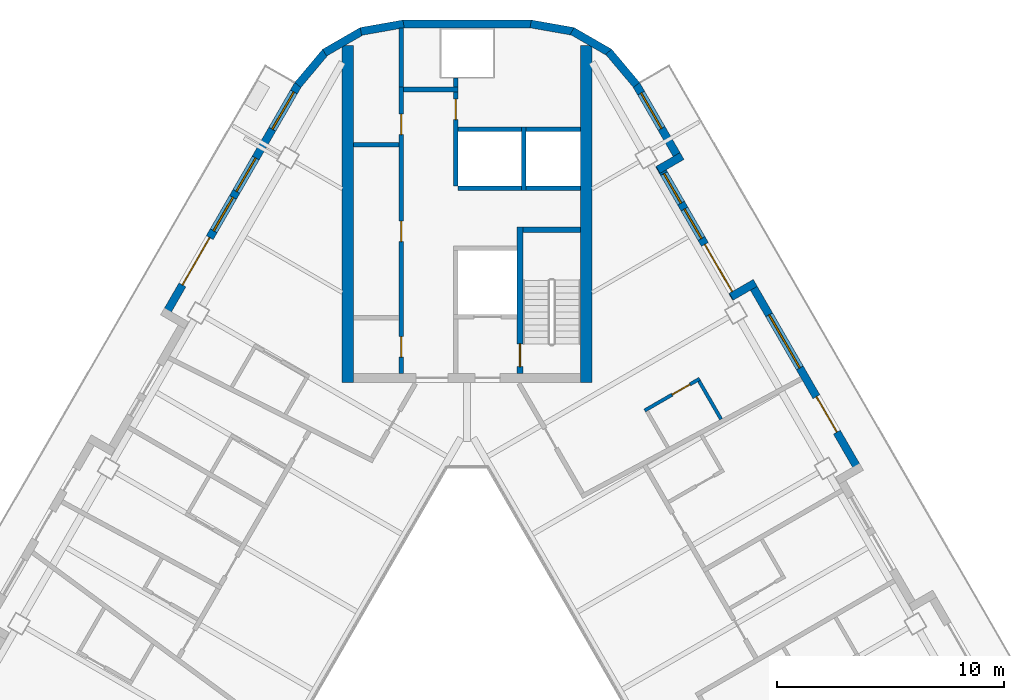
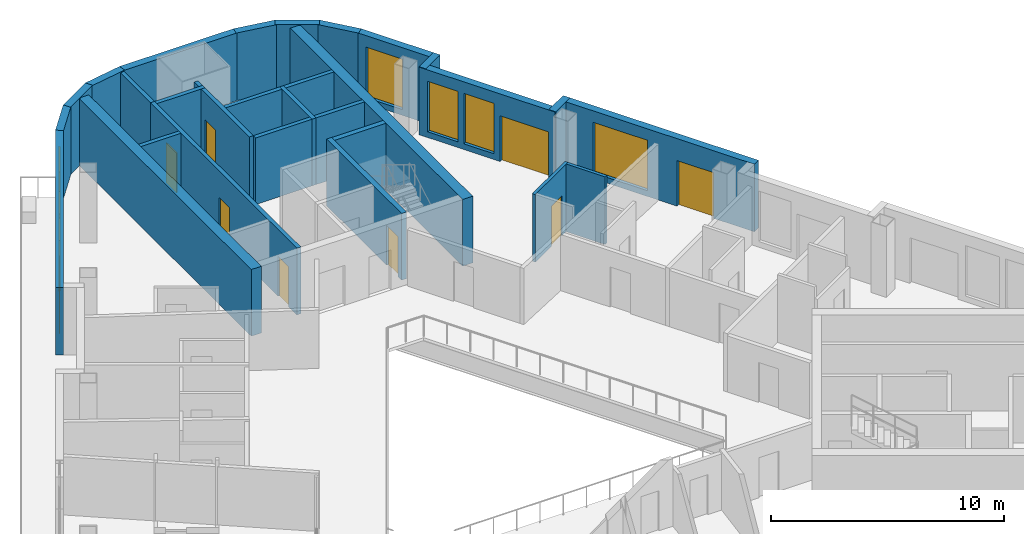
# One storey, part 7 of 14: 30 walls, 9 doors, 7 windows, 16 openings.
"""IFC4 building model written with IfcOpenShell, lengths in metres."""

from ifc_helpers import new_model, si_unit, direction, frame, frame_2d, origin, place, context, subcontext, project, spatial, rectangle, extrude, material, layer, layer_set, type_object, element, fill, save


model = new_model("IFC4")

# Units and contexts
model_context = context("Model", 3, precision=1e-05, world=origin(), true_north=direction((0.0, 1.0)))
body_context = subcontext(model_context, "Body", "Model", "MODEL_VIEW")
ifc_project = project(units=[si_unit("LENGTHUNIT", "METRE"), si_unit("AREAUNIT", "SQUARE_METRE"), si_unit("VOLUMEUNIT", "CUBIC_METRE"), si_unit("PLANEANGLEUNIT", "RADIAN"), si_unit("MASSUNIT", "GRAM", prefix="KILO")], contexts=[model_context])

# Site, building, storey
site_placement = place(None, origin())
site = spatial("IfcSite", under=ifc_project, at=site_placement, CompositionType="ELEMENT")
building_placement = place(site_placement, origin())
building = spatial("IfcBuilding", under=site, at=building_placement, Name="Apuvela Tower Hotel", CompositionType="ELEMENT")
storey_placement = place(building_placement, frame((0.0, 0.0, 205.800048828125)))
storey = spatial("IfcBuildingStorey", under=building, at=storey_placement, Name="L50", CompositionType="ELEMENT", Elevation=205.800048828125)

# Walls
ifc_material_1 = material(Name="Concrete C50/60", Category="concrete")
ifc_layer_1 = layer(ifc_material_1, 0.5)
ifc_layer_set_1 = layer_set([ifc_layer_1], Name="COR-WALL-CORE-500")
wall_type_1 = type_object("IfcWallType", Name="COR-WALL-CORE-500", PredefinedType="SHEAR", material=ifc_layer_set_1)
for number, where, z_axis, x_axis, name in (
    (1, (5.25, 12.89990234375, 0.0), (0.0, 0.0, 1.0), (0.0, 1.0, 0.0), "Core wall N"),
    (2, (-5.25, 12.89990234375, 0.0), (0.0, 0.0, 1.0), (0.0, 1.0, 0.0), "Core wall N"),
):
    element("IfcWall", number, at=place(storey_placement, frame(where, z_axis=z_axis, x_axis=x_axis)), inside=storey, type_object=wall_type_1, Name=name, PredefinedType="SHEAR", context=body_context, shape_type="SweptSolid", body=[
        extrude(rectangle(XDim=14.8369140625, YDim=0.5, at=frame_2d((7.41845703125, 0.0))), origin(), (0.0, 0.0, 1.0), 3.5),
    ])
ifc_material_2 = material(Name="Blockwork 200 mm plastered", Category="masonry")
ifc_layer_2 = layer(ifc_material_2, 0.199951171875)
ifc_layer_set_2 = layer_set([ifc_layer_2], Name="COR-WALL-PART-200")
wall_type_2 = type_object("IfcWallType", Name="COR-WALL-PART-200", PredefinedType="PARTITIONING", material=ifc_layer_set_2)
wall_1_placement = place(storey_placement, frame((5.0, 21.449951171875, 0.0), z_axis=(0.0, 0.0, 1.0), x_axis=(-1.0, 0.0, 0.0)))
element("IfcWall", 3, at=wall_1_placement, inside=storey, type_object=wall_type_2, Name="Partition N", PredefinedType="PARTITIONING", context=body_context, shape_type="SweptSolid", body=[
    extrude(rectangle(XDim=2.39990234375, YDim=0.199951171875, at=frame_2d((1.199951171875, 0.0))), origin(), (0.0, 0.0, 1.0), 3.5),
])
wall_2_placement = place(storey_placement, frame((2.39990234375, 21.449951171875, 0.0), z_axis=(0.0, 0.0, 1.0), x_axis=(-1.0, 0.0, 0.0)))
element("IfcWall", 4, at=wall_2_placement, inside=storey, type_object=wall_type_2, Name="Partition N", PredefinedType="PARTITIONING", context=body_context, shape_type="SweptSolid", body=[
    extrude(rectangle(XDim=2.7998046875, YDim=0.199951171875, at=frame_2d((1.39990234375, 0.0))), origin(), (0.0, 0.0, 1.0), 3.5),
])

# Wall, openings, doors
ifc_layer_3 = layer(ifc_material_1, 0.199951171875)
ifc_layer_set_3 = layer_set([ifc_layer_3], Name="COR-WALL-SHAFT-200")
wall_type_3 = type_object("IfcWallType", Name="COR-WALL-SHAFT-200", PredefinedType="SHEAR", material=ifc_layer_set_3)
wall_3_placement = place(storey_placement, frame((-2.89990234375, 13.300048828125, 0.0), z_axis=(0.0, 0.0, 1.0), x_axis=(0.0, 1.0, 0.0)))
wall_3 = element("IfcWall", 5, at=wall_3_placement, inside=storey, type_object=wall_type_3, Name="Shaft wall N", PredefinedType="SHEAR", context=body_context, shape_type="SweptSolid", body=[
    extrude(rectangle(XDim=12.599853515625, YDim=0.199951171875, at=frame_2d((6.2998046875, 0.0))), origin(), (0.0, 0.0, 1.0), 3.5),
])
opening_1_placement = place(wall_3_placement, frame((0.719970703125, 0.0, 0.0)))
opening_1 = element("IfcOpeningElement", 6, at=opening_1_placement, cuts=wall_3, Name="Opening N-RE1", PredefinedType="OPENING", context=body_context, shape_type="SweptSolid", body=[
    extrude(rectangle(XDim=0.89990234375, YDim=2.10009765625, at=frame_2d((0.449951171875, 1.050048828125))), frame((0.0, 0.10986328125, 0.0), z_axis=(0.0, -1.0, 0.0), x_axis=(1.0, 0.0, 0.0)), (0.0, 0.0, 1.0), 0.219970703125),
])
opening_2_placement = place(wall_3_placement, frame((5.800048828125, 0.0, 0.0)))
opening_2 = element("IfcOpeningElement", 7, at=opening_2_placement, cuts=wall_3, Name="Opening N-RE2", PredefinedType="OPENING", context=body_context, shape_type="SweptSolid", body=[
    extrude(rectangle(XDim=0.89990234375, YDim=2.10009765625, at=frame_2d((0.449951171875, 1.050048828125))), frame((0.0, 0.10986328125, 0.0), z_axis=(0.0, -1.0, 0.0), x_axis=(1.0, 0.0, 0.0)), (0.0, 0.0, 1.0), 0.219970703125),
])
opening_3_placement = place(wall_3_placement, frame((10.510009765625, 0.0, 0.0)))
opening_3 = element("IfcOpeningElement", 8, at=opening_3_placement, cuts=wall_3, Name="Opening N-REP", PredefinedType="OPENING", context=body_context, shape_type="SweptSolid", body=[
    extrude(rectangle(XDim=0.89990234375, YDim=2.10009765625, at=frame_2d((0.449951171875, 1.050048828125))), frame((0.0, 0.10986328125, 0.0), z_axis=(0.0, -1.0, 0.0), x_axis=(1.0, 0.0, 0.0)), (0.0, 0.0, 1.0), 0.219970703125),
])
ifc_material_3 = material(Name="Steel fire door, powder coated", Category="steel")
door_type_1 = type_object("IfcDoorType", Name="COR-DR-900", OperationType="NOTDEFINED", PredefinedType="DOOR", material=ifc_material_3)
door_1_placement = place(opening_1_placement, origin())
door_1 = element("IfcDoor", 9, at=door_1_placement, inside=storey, type_object=door_type_1, Name="Store door N-RE1", OperationType="SINGLE_SWING_LEFT", OverallHeight=2.10009765625, OverallWidth=0.89990234375, PredefinedType="DOOR", context=body_context, shape_type="SweptSolid", body=[
    extrude(rectangle(XDim=0.89990234375, YDim=2.10009765625, at=frame_2d((0.449951171875, 1.050048828125))), frame((0.0, 0.02490234375, 0.0), z_axis=(0.0, -1.0, 0.0), x_axis=(1.0, 0.0, 0.0)), (0.0, 0.0, 1.0), 0.050048828125),
])
fill(opening_1, door_1)
door_2_placement = place(opening_2_placement, origin())
door_2 = element("IfcDoor", 10, at=door_2_placement, inside=storey, type_object=door_type_1, Name="Store door N-RE2", OperationType="SINGLE_SWING_RIGHT", OverallHeight=2.10009765625, OverallWidth=0.89990234375, PredefinedType="DOOR", context=body_context, shape_type="SweptSolid", body=[
    extrude(rectangle(XDim=0.89990234375, YDim=2.10009765625, at=frame_2d((0.449951171875, 1.050048828125))), frame((0.0, 0.02490234375, 0.0), z_axis=(0.0, -1.0, 0.0), x_axis=(1.0, 0.0, 0.0)), (0.0, 0.0, 1.0), 0.050048828125),
])
fill(opening_2, door_2)
door_3_placement = place(opening_3_placement, origin())
door_3 = element("IfcDoor", 11, at=door_3_placement, inside=storey, type_object=door_type_1, Name="Store door N-REP", OperationType="SINGLE_SWING_RIGHT", OverallHeight=2.10009765625, OverallWidth=0.89990234375, PredefinedType="DOOR", context=body_context, shape_type="SweptSolid", body=[
    extrude(rectangle(XDim=0.89990234375, YDim=2.10009765625, at=frame_2d((0.449951171875, 1.050048828125))), frame((0.0, 0.02490234375, 0.0), z_axis=(0.0, -1.0, 0.0), x_axis=(1.0, 0.0, 0.0)), (0.0, 0.0, 1.0), 0.050048828125),
])
fill(opening_3, door_3)

# Wall
wall_4_placement = place(storey_placement, frame((-0.39990234375, 25.800048828125, 0.0), z_axis=(0.0, 0.0, 1.0), x_axis=(-1.0, 0.0, 0.0)))
element("IfcWall", 12, at=wall_4_placement, inside=storey, type_object=wall_type_3, Name="Shaft wall N", PredefinedType="SHEAR", context=body_context, shape_type="SweptSolid", body=[
    extrude(rectangle(XDim=2.400146484375, YDim=0.199951171875, at=frame_2d((1.2001953125, 0.0))), origin(), (0.0, 0.0, 1.0), 3.5),
])

# Wall, opening, door
wall_5_placement = place(storey_placement, frame((-0.5, 21.550048828125, 0.0), z_axis=(0.0, 0.0, 1.0), x_axis=(0.0, 1.0, 0.0)))
wall_5 = element("IfcWall", 13, at=wall_5_placement, inside=storey, type_object=wall_type_3, Name="Shaft wall N", PredefinedType="SHEAR", context=body_context, shape_type="SweptSolid", body=[
    extrude(rectangle(XDim=4.14990234375, YDim=0.199951171875, at=frame_2d((2.074951171875, 0.0))), origin(), (0.0, 0.0, 1.0), 3.5),
])
opening_4_placement = place(wall_5_placement, frame((2.925048828125, 0.0, 0.0)))
opening_4 = element("IfcOpeningElement", 14, at=opening_4_placement, cuts=wall_5, Name="Opening N-RSP", PredefinedType="OPENING", context=body_context, shape_type="SweptSolid", body=[
    extrude(rectangle(XDim=0.89990234375, YDim=2.10009765625, at=frame_2d((0.449951171875, 1.050048828125))), frame((0.0, 0.10986328125, 0.0), z_axis=(0.0, -1.0, 0.0), x_axis=(1.0, 0.0, 0.0)), (0.0, 0.0, 1.0), 0.219970703125),
])
door_4_placement = place(opening_4_placement, frame((0.89990234375, 0.0, 0.0), z_axis=(0.0, 0.0, 1.0), x_axis=(-1.0, 0.0, 0.0)))
door_4 = element("IfcDoor", 15, at=door_4_placement, inside=storey, type_object=door_type_1, Name="Store door N-RSP", OperationType="SINGLE_SWING_LEFT", OverallHeight=2.10009765625, OverallWidth=0.89990234375, PredefinedType="DOOR", context=body_context, shape_type="SweptSolid", body=[
    extrude(rectangle(XDim=0.89990234375, YDim=2.10009765625, at=frame_2d((0.449951171875, 1.050048828125))), frame((0.0, 0.02490234375, 0.0), z_axis=(0.0, -1.0, 0.0), x_axis=(1.0, 0.0, 0.0)), (0.0, 0.0, 1.0), 0.050048828125),
])
fill(opening_4, door_4)

# Walls
wall_6_placement = place(storey_placement, frame((-3.0, 23.360107421875, 0.0), z_axis=(0.0, 0.0, 1.0), x_axis=(-1.0, 0.0, 0.0)))
element("IfcWall", 16, at=wall_6_placement, inside=storey, type_object=wall_type_3, Name="Shaft wall N", PredefinedType="SHEAR", context=body_context, shape_type="SweptSolid", body=[
    extrude(rectangle(XDim=2.0, YDim=0.199951171875, at=frame_2d((1.0, 0.0))), origin(), (0.0, 0.0, 1.0), 3.5),
])
wall_7_placement = place(storey_placement, frame((-0.5, 25.89990234375, 0.0), z_axis=(0.0, 0.0, 1.0), x_axis=(0.0, 1.0, 0.0)))
element("IfcWall", 17, at=wall_7_placement, inside=storey, type_object=wall_type_3, Name="Shaft wall N", PredefinedType="SHEAR", context=body_context, shape_type="SweptSolid", body=[
    extrude(rectangle(XDim=0.400146484375, YDim=0.199951171875, at=frame_2d((0.2001953125, 0.0))), origin(), (0.0, 0.0, 1.0), 3.5),
])
wall_8_placement = place(storey_placement, frame((-2.89990234375, 25.89990234375, 0.0), z_axis=(0.0, 0.0, 1.0), x_axis=(0.0, 1.0, 0.0)))
element("IfcWall", 18, at=wall_8_placement, inside=storey, type_object=wall_type_3, Name="Shaft wall N", PredefinedType="SHEAR", context=body_context, shape_type="SweptSolid", body=[
    extrude(rectangle(XDim=2.60009765625, YDim=0.199951171875, at=frame_2d((1.300048828125, 0.0))), origin(), (0.0, 0.0, 1.0), 3.5),
])
wall_9_placement = place(storey_placement, frame((2.5, 21.35009765625, 0.0), z_axis=(0.0, 0.0, 1.0), x_axis=(0.0, 1.0, 0.0)))
element("IfcWall", 19, at=wall_9_placement, inside=storey, type_object=wall_type_3, Name="Shaft wall N", PredefinedType="SHEAR", context=body_context, shape_type="SweptSolid", body=[
    extrude(rectangle(XDim=2.7998046875, YDim=0.199951171875, at=frame_2d((1.39990234375, 0.0))), origin(), (0.0, 0.0, 1.0), 3.5),
])
wall_10_placement = place(storey_placement, frame((5.0, 24.050048828125, 0.0), z_axis=(0.0, 0.0, 1.0), x_axis=(-1.0, 0.0, 0.0)))
element("IfcWall", 20, at=wall_10_placement, inside=storey, type_object=wall_type_3, Name="Shaft wall N", PredefinedType="SHEAR", context=body_context, shape_type="SweptSolid", body=[
    extrude(rectangle(XDim=2.39990234375, YDim=0.199951171875, at=frame_2d((1.199951171875, 0.0))), origin(), (0.0, 0.0, 1.0), 3.5),
])
wall_11_placement = place(storey_placement, frame((2.39990234375, 24.050048828125, 0.0), z_axis=(0.0, 0.0, 1.0), x_axis=(-1.0, 0.0, 0.0)))
element("IfcWall", 21, at=wall_11_placement, inside=storey, type_object=wall_type_3, Name="Shaft wall N", PredefinedType="SHEAR", context=body_context, shape_type="SweptSolid", body=[
    extrude(rectangle(XDim=2.7998046875, YDim=0.199951171875, at=frame_2d((1.39990234375, 0.0))), origin(), (0.0, 0.0, 1.0), 3.5),
])

# Wall, opening, door
ifc_layer_4 = layer(ifc_material_1, 0.25)
ifc_layer_set_4 = layer_set([ifc_layer_4], Name="COR-WALL-STAIR-250")
wall_type_4 = type_object("IfcWallType", Name="COR-WALL-STAIR-250", PredefinedType="SHEAR", material=ifc_layer_set_4)
wall_12_placement = place(storey_placement, frame((2.324951171875, 13.300048828125, 0.0), z_axis=(0.0, 0.0, 1.0), x_axis=(0.0, 1.0, 0.0)))
wall_12 = element("IfcWall", 22, at=wall_12_placement, inside=storey, type_object=wall_type_4, Name="Stair wall N", PredefinedType="SHEAR", context=body_context, shape_type="SweptSolid", body=[
    extrude(rectangle(XDim=6.449951171875, YDim=0.25, at=frame_2d((3.22509765625, 0.0))), origin(), (0.0, 0.0, 1.0), 3.5),
])
opening_5_placement = place(wall_12_placement, frame((0.300048828125, 0.0, 0.0)))
opening_5 = element("IfcOpeningElement", 23, at=opening_5_placement, cuts=wall_12, Name="Opening N-SD", PredefinedType="OPENING", context=body_context, shape_type="SweptSolid", body=[
    extrude(rectangle(XDim=1.0, YDim=2.10009765625, at=frame_2d((0.5, 1.050048828125))), frame((0.0, 0.135009765625, 0.0), z_axis=(0.0, -1.0, 0.0), x_axis=(1.0, 0.0, 0.0)), (0.0, 0.0, 1.0), 0.27001953125),
])
door_type_2 = type_object("IfcDoorType", Name="COR-SD-1000", OperationType="NOTDEFINED", PredefinedType="DOOR", material=ifc_material_3)
door_5_placement = place(opening_5_placement, frame((1.0, 0.0, 0.0), z_axis=(0.0, 0.0, 1.0), x_axis=(-1.0, 0.0, 0.0)))
door_5 = element("IfcDoor", 24, at=door_5_placement, inside=storey, type_object=door_type_2, Name="Stair door N-SD", OperationType="SINGLE_SWING_LEFT", OverallHeight=2.10009765625, OverallWidth=1.0, PredefinedType="DOOR", context=body_context, shape_type="SweptSolid", body=[
    extrude(rectangle(XDim=1.0, YDim=2.10009765625, at=frame_2d((0.5, 1.050048828125))), frame((0.0, 0.02490234375, 0.0), z_axis=(0.0, -1.0, 0.0), x_axis=(1.0, 0.0, 0.0)), (0.0, 0.0, 1.0), 0.050048828125),
])
fill(opening_5, door_5)

# Wall
wall_13_placement = place(storey_placement, frame((5.0, 19.625, 0.0), z_axis=(0.0, 0.0, 1.0), x_axis=(-1.0, 0.0, 0.0)))
element("IfcWall", 25, at=wall_13_placement, inside=storey, type_object=wall_type_4, Name="Stair wall N", PredefinedType="SHEAR", context=body_context, shape_type="SweptSolid", body=[
    extrude(rectangle(XDim=2.550048828125, YDim=0.25, at=frame_2d((1.27490234375, 0.0))), origin(), (0.0, 0.0, 1.0), 3.5),
])

# Wall, openings, door, windows
ifc_material_4 = material(Name="Concrete C40/50, dark pigmented precast panel", Category="concrete")
ifc_layer_5 = layer(ifc_material_4, 0.35009765625)
ifc_layer_set_5 = layer_set([ifc_layer_5], Name="ENV-WALL-350")
wall_type_5 = type_object("IfcWallType", Name="ENV-WALL-350", PredefinedType="SOLIDWALL", material=ifc_layer_set_5)
wall_14_placement = place(storey_placement, frame((-7.440673828125, 26.0224609375, 0.0), z_axis=(0.0, 0.0, 1.0), x_axis=(-0.499992533062, -0.86602971478, 0.0)))
wall_14 = element("IfcWall", 26, at=wall_14_placement, inside=storey, type_object=wall_type_5, Name="External wall L50-01", PredefinedType="SOLIDWALL", context=body_context, shape_type="SweptSolid", body=[
    extrude(rectangle(XDim=11.815673828125, YDim=0.35009765625, at=frame_2d((5.90771484375, 0.0))), origin(), (0.0, 0.0, 1.0), 3.550048828125),
])
opening_6_placement = place(wall_14_placement, frame((0.381103515625, 0.0, 0.300048828125)))
opening_6 = element("IfcOpeningElement", 27, at=opening_6_placement, cuts=wall_14, Name="Opening WN19", PredefinedType="OPENING", context=body_context, shape_type="SweptSolid", body=[
    extrude(rectangle(XDim=1.89990234375, YDim=2.64990234375, at=frame_2d((0.949951171875, 1.324951171875))), frame((0.0, 0.18505859375, 0.0), z_axis=(0.0, -1.0, 0.0), x_axis=(1.0, 0.0, 0.0)), (0.0, 0.0, 1.0), 0.3701171875),
])
opening_7_placement = place(wall_14_placement, frame((7.79052734375, 0.0, 0.0)))
opening_7 = element("IfcOpeningElement", 28, at=opening_7_placement, cuts=wall_14, Name="Opening BD24", PredefinedType="OPENING", context=body_context, shape_type="SweptSolid", body=[
    extrude(rectangle(XDim=2.39990234375, YDim=2.39990234375, at=frame_2d((1.199951171875, 1.199951171875))), frame((0.0, 0.18505859375, 0.0), z_axis=(0.0, -1.0, 0.0), x_axis=(1.0, 0.0, 0.0)), (0.0, 0.0, 1.0), 0.3701171875),
])
opening_8_placement = place(wall_14_placement, frame((3.7412109375, 0.0, 0.300048828125)))
opening_8 = element("IfcOpeningElement", 29, at=opening_8_placement, cuts=wall_14, Name="Opening WN17", PredefinedType="OPENING", context=body_context, shape_type="SweptSolid", body=[
    extrude(rectangle(XDim=1.699951171875, YDim=2.64990234375, at=frame_2d((0.85009765625, 1.324951171875))), frame((0.0, 0.18505859375, 0.0), z_axis=(0.0, -1.0, 0.0), x_axis=(1.0, 0.0, 0.0)), (0.0, 0.0, 1.0), 0.3701171875),
])
opening_9_placement = place(wall_14_placement, frame((5.7412109375, 0.0, 0.300048828125)))
opening_9 = element("IfcOpeningElement", 30, at=opening_9_placement, cuts=wall_14, Name="Opening WN17", PredefinedType="OPENING", context=body_context, shape_type="SweptSolid", body=[
    extrude(rectangle(XDim=1.699951171875, YDim=2.64990234375, at=frame_2d((0.85009765625, 1.324951171875))), frame((0.0, 0.18505859375, 0.0), z_axis=(0.0, -1.0, 0.0), x_axis=(1.0, 0.0, 0.0)), (0.0, 0.0, 1.0), 0.3701171875),
])
ifc_material_5 = material(Name="Aluminium 6063-T6, dark bronze anodised frame with dark tinted laminated glass", Category="aluminium")
door_type_3 = type_object("IfcDoorType", Name="ENV-DOOR-BALCONY-2400x2400", OperationType="SLIDING_TO_LEFT", PredefinedType="DOOR", material=ifc_material_5)
door_6_placement = place(opening_7_placement, frame((2.39990234375, 0.0, 0.0), z_axis=(0.0, 0.0, 1.0), x_axis=(-1.0, 0.0, 0.0)))
door_6 = element("IfcDoor", 31, at=door_6_placement, inside=storey, type_object=door_type_3, Name="Balcony door BD24", OperationType="SLIDING_TO_LEFT", OverallHeight=2.39990234375, OverallWidth=2.39990234375, PredefinedType="DOOR", context=body_context, shape_type="SweptSolid", body=[
    extrude(rectangle(XDim=2.39990234375, YDim=2.39990234375, at=frame_2d((1.199951171875, 1.199951171875))), frame((0.0, 0.02490234375, 0.0), z_axis=(0.0, -1.0, 0.0), x_axis=(1.0, 0.0, 0.0)), (0.0, 0.0, 1.0), 0.050048828125),
])
fill(opening_7, door_6)
ifc_material_6 = material(Name="Glass, dark tinted laminated insulated glazing unit", Category="glass")
window_type_1 = type_object("IfcWindowType", Name="ENV-WIN-1700x2650", PartitioningType="SINGLE_PANEL", PredefinedType="WINDOW", material=ifc_material_6)
window_1_placement = place(opening_8_placement, origin())
window_1 = element("IfcWindow", 32, at=window_1_placement, inside=storey, type_object=window_type_1, Name="Window WN17", OverallHeight=2.64990234375, OverallWidth=1.699951171875, PartitioningType="SINGLE_PANEL", PredefinedType="WINDOW", context=body_context, shape_type="SweptSolid", body=[
    extrude(rectangle(XDim=1.699951171875, YDim=2.64990234375, at=frame_2d((0.85009765625, 1.324951171875))), frame((0.0, 0.030029296875, 0.0), z_axis=(0.0, -1.0, 0.0), x_axis=(1.0, 0.0, 0.0)), (0.0, 0.0, 1.0), 0.06005859375),
])
fill(opening_8, window_1)
window_2_placement = place(opening_9_placement, origin())
window_2 = element("IfcWindow", 33, at=window_2_placement, inside=storey, type_object=window_type_1, Name="Window WN17", OverallHeight=2.64990234375, OverallWidth=1.699951171875, PartitioningType="SINGLE_PANEL", PredefinedType="WINDOW", context=body_context, shape_type="SweptSolid", body=[
    extrude(rectangle(XDim=1.699951171875, YDim=2.64990234375, at=frame_2d((0.85009765625, 1.324951171875))), frame((0.0, 0.030029296875, 0.0), z_axis=(0.0, -1.0, 0.0), x_axis=(1.0, 0.0, 0.0)), (0.0, 0.0, 1.0), 0.06005859375),
])
fill(opening_9, window_2)
window_type_2 = type_object("IfcWindowType", Name="ENV-WIN-1900x2650", PartitioningType="SINGLE_PANEL", PredefinedType="WINDOW", material=ifc_material_6)
window_3_placement = place(opening_6_placement, origin())
window_3 = element("IfcWindow", 34, at=window_3_placement, inside=storey, type_object=window_type_2, Name="Window WN19", OverallHeight=2.64990234375, OverallWidth=1.89990234375, PartitioningType="SINGLE_PANEL", PredefinedType="WINDOW", context=body_context, shape_type="SweptSolid", body=[
    extrude(rectangle(XDim=1.89990234375, YDim=2.64990234375, at=frame_2d((0.949951171875, 1.324951171875))), frame((0.0, 0.030029296875, 0.0), z_axis=(0.0, -1.0, 0.0), x_axis=(1.0, 0.0, 0.0)), (0.0, 0.0, 1.0), 0.06005859375),
])
fill(opening_6, window_3)

# Wall, openings, door, window
wall_15_placement = place(storey_placement, frame((17.298583984375, 8.947998046875, 0.0), z_axis=(0.0, 0.0, 1.0), x_axis=(-0.500010041276, 0.866019606374, 0.0)))
wall_15 = element("IfcWall", 35, at=wall_15_placement, inside=storey, type_object=wall_type_5, Name="External wall L50-37", PredefinedType="SOLIDWALL", context=body_context, shape_type="SweptSolid", body=[
    extrude(rectangle(XDim=9.699951171875, YDim=0.35009765625, at=frame_2d((4.85009765625, 0.0))), origin(), (0.0, 0.0, 1.0), 3.550048828125),
])
opening_10_placement = place(wall_15_placement, frame((2.037109375, 0.0, 0.0)))
opening_10 = element("IfcOpeningElement", 36, at=opening_10_placement, cuts=wall_15, Name="Opening BD18", PredefinedType="OPENING", context=body_context, shape_type="SweptSolid", body=[
    extrude(rectangle(XDim=1.800048828125, YDim=2.39990234375, at=frame_2d((0.89990234375, 1.199951171875))), frame((0.0, 0.18505859375, 0.0), z_axis=(0.0, -1.0, 0.0), x_axis=(1.0, 0.0, 0.0)), (0.0, 0.0, 1.0), 0.3701171875),
])
opening_11_placement = place(wall_15_placement, frame((5.300048828125, 0.0, 0.300048828125)))
opening_11 = element("IfcOpeningElement", 37, at=opening_11_placement, cuts=wall_15, Name="Opening WN27", PredefinedType="OPENING", context=body_context, shape_type="SweptSolid", body=[
    extrude(rectangle(XDim=2.699951171875, YDim=2.64990234375, at=frame_2d((1.35009765625, 1.324951171875))), frame((0.0, 0.18505859375, 0.0), z_axis=(0.0, -1.0, 0.0), x_axis=(1.0, 0.0, 0.0)), (0.0, 0.0, 1.0), 0.3701171875),
])
door_type_4 = type_object("IfcDoorType", Name="ENV-DOOR-BALCONY-1800x2400", OperationType="SLIDING_TO_LEFT", PredefinedType="DOOR", material=ifc_material_5)
door_7_placement = place(opening_10_placement, frame((1.800048828125, 0.0, 0.0), z_axis=(0.0, 0.0, 1.0), x_axis=(-1.0, 0.0, 0.0)))
door_7 = element("IfcDoor", 38, at=door_7_placement, inside=storey, type_object=door_type_4, Name="Balcony door BD18", OperationType="SLIDING_TO_LEFT", OverallHeight=2.39990234375, OverallWidth=1.800048828125, PredefinedType="DOOR", context=body_context, shape_type="SweptSolid", body=[
    extrude(rectangle(XDim=1.800048828125, YDim=2.39990234375, at=frame_2d((0.89990234375, 1.199951171875))), frame((0.0, 0.02490234375, 0.0), z_axis=(0.0, -1.0, 0.0), x_axis=(1.0, 0.0, 0.0)), (0.0, 0.0, 1.0), 0.050048828125),
])
fill(opening_10, door_7)
window_type_3 = type_object("IfcWindowType", Name="ENV-WIN-2700x2650", PartitioningType="SINGLE_PANEL", PredefinedType="WINDOW", material=ifc_material_6)
window_4_placement = place(opening_11_placement, origin())
window_4 = element("IfcWindow", 39, at=window_4_placement, inside=storey, type_object=window_type_3, Name="Window WN27", OverallHeight=2.64990234375, OverallWidth=2.699951171875, PartitioningType="SINGLE_PANEL", PredefinedType="WINDOW", context=body_context, shape_type="SweptSolid", body=[
    extrude(rectangle(XDim=2.699951171875, YDim=2.64990234375, at=frame_2d((1.35009765625, 1.324951171875))), frame((0.0, 0.030029296875, 0.0), z_axis=(0.0, -1.0, 0.0), x_axis=(1.0, 0.0, 0.0)), (0.0, 0.0, 1.0), 0.06005859375),
])
fill(opening_11, window_4)

# Wall
wall_16_placement = place(storey_placement, frame((12.6875, 17.284423828125, 0.0), z_axis=(0.0, 0.0, 1.0), x_axis=(-0.865955602162, -0.500120880472, 0.0)))
element("IfcWall", 40, at=wall_16_placement, inside=storey, type_object=wall_type_5, Name="External wall L50-38", PredefinedType="SOLIDWALL", context=body_context, shape_type="SweptSolid", body=[
    extrude(rectangle(XDim=1.219970703125, YDim=0.35009765625, at=frame_2d((0.60986328125, 0.0))), origin(), (0.0, 0.0, 1.0), 3.550048828125),
])

# Wall, openings, door, windows
wall_17_placement = place(storey_placement, frame((11.8291015625, 16.621337890625, 0.0), z_axis=(0.0, 0.0, 1.0), x_axis=(-0.500003597184, 0.866023326939, 0.0)))
wall_17 = element("IfcWall", 41, at=wall_17_placement, inside=storey, type_object=wall_type_5, Name="External wall L50-39", PredefinedType="SOLIDWALL", context=body_context, shape_type="SweptSolid", body=[
    extrude(rectangle(XDim=6.740234375, YDim=0.35009765625, at=frame_2d((3.3701171875, 0.0))), origin(), (0.0, 0.0, 1.0), 3.550048828125),
])
opening_12_placement = place(wall_17_placement, frame((0.320068359375, 0.0, 0.0)))
opening_12 = element("IfcOpeningElement", 42, at=opening_12_placement, cuts=wall_17, Name="Opening BD24", PredefinedType="OPENING", context=body_context, shape_type="SweptSolid", body=[
    extrude(rectangle(XDim=2.39990234375, YDim=2.39990234375, at=frame_2d((1.199951171875, 1.199951171875))), frame((0.0, 0.18505859375, 0.0), z_axis=(0.0, -1.0, 0.0), x_axis=(1.0, 0.0, 0.0)), (0.0, 0.0, 1.0), 0.3701171875),
])
opening_13_placement = place(wall_17_placement, frame((3.02001953125, 0.0, 0.300048828125)))
opening_13 = element("IfcOpeningElement", 43, at=opening_13_placement, cuts=wall_17, Name="Opening WN15", PredefinedType="OPENING", context=body_context, shape_type="SweptSolid", body=[
    extrude(rectangle(XDim=1.5, YDim=2.64990234375, at=frame_2d((0.75, 1.324951171875))), frame((0.0, 0.18505859375, 0.0), z_axis=(0.0, -1.0, 0.0), x_axis=(1.0, 0.0, 0.0)), (0.0, 0.0, 1.0), 0.3701171875),
])
opening_14_placement = place(wall_17_placement, frame((4.820068359375, 0.0, 0.300048828125)))
opening_14 = element("IfcOpeningElement", 44, at=opening_14_placement, cuts=wall_17, Name="Opening WN15", PredefinedType="OPENING", context=body_context, shape_type="SweptSolid", body=[
    extrude(rectangle(XDim=1.5, YDim=2.64990234375, at=frame_2d((0.75, 1.324951171875))), frame((0.0, 0.18505859375, 0.0), z_axis=(0.0, -1.0, 0.0), x_axis=(1.0, 0.0, 0.0)), (0.0, 0.0, 1.0), 0.3701171875),
])
door_8_placement = place(opening_12_placement, frame((2.39990234375, 0.0, 0.0), z_axis=(0.0, 0.0, 1.0), x_axis=(-1.0, 0.0, 0.0)))
door_8 = element("IfcDoor", 45, at=door_8_placement, inside=storey, type_object=door_type_3, Name="Balcony door BD24", OperationType="SLIDING_TO_LEFT", OverallHeight=2.39990234375, OverallWidth=2.39990234375, PredefinedType="DOOR", context=body_context, shape_type="SweptSolid", body=[
    extrude(rectangle(XDim=2.39990234375, YDim=2.39990234375, at=frame_2d((1.199951171875, 1.199951171875))), frame((0.0, 0.02490234375, 0.0), z_axis=(0.0, -1.0, 0.0), x_axis=(1.0, 0.0, 0.0)), (0.0, 0.0, 1.0), 0.050048828125),
])
fill(opening_12, door_8)
window_type_4 = type_object("IfcWindowType", Name="ENV-WIN-1500x2650", PartitioningType="SINGLE_PANEL", PredefinedType="WINDOW", material=ifc_material_6)
window_5_placement = place(opening_13_placement, origin())
window_5 = element("IfcWindow", 46, at=window_5_placement, inside=storey, type_object=window_type_4, Name="Window WN15", OverallHeight=2.64990234375, OverallWidth=1.5, PartitioningType="SINGLE_PANEL", PredefinedType="WINDOW", context=body_context, shape_type="SweptSolid", body=[
    extrude(rectangle(XDim=1.5, YDim=2.64990234375, at=frame_2d((0.75, 1.324951171875))), frame((0.0, 0.030029296875, 0.0), z_axis=(0.0, -1.0, 0.0), x_axis=(1.0, 0.0, 0.0)), (0.0, 0.0, 1.0), 0.06005859375),
])
fill(opening_13, window_5)
window_6_placement = place(opening_14_placement, origin())
window_6 = element("IfcWindow", 47, at=window_6_placement, inside=storey, type_object=window_type_4, Name="Window WN15", OverallHeight=2.64990234375, OverallWidth=1.5, PartitioningType="SINGLE_PANEL", PredefinedType="WINDOW", context=body_context, shape_type="SweptSolid", body=[
    extrude(rectangle(XDim=1.5, YDim=2.64990234375, at=frame_2d((0.75, 1.324951171875))), frame((0.0, 0.030029296875, 0.0), z_axis=(0.0, -1.0, 0.0), x_axis=(1.0, 0.0, 0.0)), (0.0, 0.0, 1.0), 0.06005859375),
])
fill(opening_14, window_6)

# Wall
wall_18_placement = place(storey_placement, frame((8.406005859375, 22.26025390625, 0.0), z_axis=(0.0, 0.0, 1.0), x_axis=(0.865955602162, 0.500120880472, 0.0)))
element("IfcWall", 48, at=wall_18_placement, inside=storey, type_object=wall_type_5, Name="External wall L50-40", PredefinedType="SOLIDWALL", context=body_context, shape_type="SweptSolid", body=[
    extrude(rectangle(XDim=1.219970703125, YDim=0.35009765625, at=frame_2d((0.60986328125, 0.0))), origin(), (0.0, 0.0, 1.0), 3.550048828125),
])

# Wall, opening, window
wall_19_placement = place(storey_placement, frame((9.3984375, 22.631103515625, 0.0), z_axis=(0.0, 0.0, 1.0), x_axis=(-0.499954521343, 0.866051659307, 0.0)))
wall_19 = element("IfcWall", 49, at=wall_19_placement, inside=storey, type_object=wall_type_5, Name="External wall L50-41", PredefinedType="SOLIDWALL", context=body_context, shape_type="SweptSolid", body=[
    extrude(rectangle(XDim=3.915771484375, YDim=0.35009765625, at=frame_2d((1.9580078125, 0.0))), origin(), (0.0, 0.0, 1.0), 3.550048828125),
])
opening_15_placement = place(wall_19_placement, frame((1.67626953125, 0.0, 0.300048828125)))
opening_15 = element("IfcOpeningElement", 50, at=opening_15_placement, cuts=wall_19, Name="Opening WN18", PredefinedType="OPENING", context=body_context, shape_type="SweptSolid", body=[
    extrude(rectangle(XDim=1.800048828125, YDim=2.64990234375, at=frame_2d((0.89990234375, 1.324951171875))), frame((0.0, 0.18505859375, 0.0), z_axis=(0.0, -1.0, 0.0), x_axis=(1.0, 0.0, 0.0)), (0.0, 0.0, 1.0), 0.3701171875),
])
window_type_5 = type_object("IfcWindowType", Name="ENV-WIN-1800x2650", PartitioningType="SINGLE_PANEL", PredefinedType="WINDOW", material=ifc_material_6)
window_7_placement = place(opening_15_placement, origin())
window_7 = element("IfcWindow", 51, at=window_7_placement, inside=storey, type_object=window_type_5, Name="Window WN18", OverallHeight=2.64990234375, OverallWidth=1.800048828125, PartitioningType="SINGLE_PANEL", PredefinedType="WINDOW", context=body_context, shape_type="SweptSolid", body=[
    extrude(rectangle(XDim=1.800048828125, YDim=2.64990234375, at=frame_2d((0.89990234375, 1.324951171875))), frame((0.0, 0.030029296875, 0.0), z_axis=(0.0, -1.0, 0.0), x_axis=(1.0, 0.0, 0.0)), (0.0, 0.0, 1.0), 0.06005859375),
])
fill(opening_15, window_7)

# Walls
wall_20_placement = place(storey_placement, frame((7.4580078125, 25.99755859375, 0.0), z_axis=(0.0, 0.0, 1.0), x_axis=(-0.642808304945, 0.766027077259, 0.0)))
element("IfcWall", 52, at=wall_20_placement, inside=storey, type_object=wall_type_5, Name="External wall L50-42", PredefinedType="SOLIDWALL", context=body_context, shape_type="SweptSolid", body=[
    extrude(rectangle(XDim=1.909912109375, YDim=0.35009765625, at=frame_2d((0.955078125, 0.0))), origin(), (0.0, 0.0, 1.0), 3.550048828125),
])
for number, where, z_axis, x_axis, name in (
    (53, (6.27685546875, 27.421630859375, 0.0), (0.0, 0.0, 1.0), (-0.866032345022, 0.499987977232, 0.0), "External wall L50-43"),
    (54, (4.6796875, 28.35595703125, 0.0), (0.0, 0.0, 1.0), (-0.984798995425, 0.173697837091, 0.0), "External wall L50-44"),
):
    element("IfcWall", number, at=place(storey_placement, frame(where, z_axis=z_axis, x_axis=x_axis)), inside=storey, type_object=wall_type_5, Name=name, PredefinedType="SOLIDWALL", context=body_context, shape_type="SweptSolid", body=[
        extrude(rectangle(XDim=1.91015625, YDim=0.35009765625, at=frame_2d((0.955078125, 0.0))), origin(), (0.0, 0.0, 1.0), 3.550048828125),
    ])
wall_21_placement = place(storey_placement, frame((2.8291015625, 28.68505859375, 0.0), z_axis=(0.0, 0.0, 1.0), x_axis=(-1.0, 0.0, 0.0)))
element("IfcWall", 55, at=wall_21_placement, inside=storey, type_object=wall_type_5, Name="External wall L50-45", PredefinedType="SOLIDWALL", context=body_context, shape_type="SweptSolid", body=[
    extrude(rectangle(XDim=5.658203125, YDim=0.35009765625, at=frame_2d((2.8291015625, 0.0))), origin(), (0.0, 0.0, 1.0), 3.550048828125),
])
for number, where, z_axis, x_axis, name in (
    (56, (-2.798583984375, 28.687744140625, 0.0), (0.0, 0.0, 1.0), (-0.984798995425, -0.173697837091, 0.0), "External wall L50-46"),
    (57, (-4.62255859375, 28.376708984375, 0.0), (0.0, 0.0, 1.0), (-0.866032345022, -0.499987977232, 0.0), "External wall L50-47"),
):
    element("IfcWall", number, at=place(storey_placement, frame(where, z_axis=z_axis, x_axis=x_axis)), inside=storey, type_object=wall_type_5, Name=name, PredefinedType="SOLIDWALL", context=body_context, shape_type="SweptSolid", body=[
        extrude(rectangle(XDim=1.91015625, YDim=0.35009765625, at=frame_2d((0.955078125, 0.0))), origin(), (0.0, 0.0, 1.0), 3.550048828125),
    ])
wall_22_placement = place(storey_placement, frame((-6.230224609375, 27.460693359375, 0.0), z_axis=(0.0, 0.0, 1.0), x_axis=(-0.642808304945, -0.766027077259, 0.0)))
element("IfcWall", 58, at=wall_22_placement, inside=storey, type_object=wall_type_5, Name="External wall L50-48", PredefinedType="SOLIDWALL", context=body_context, shape_type="SweptSolid", body=[
    extrude(rectangle(XDim=1.909912109375, YDim=0.35009765625, at=frame_2d((0.955078125, 0.0))), origin(), (0.0, 0.0, 1.0), 3.550048828125),
])

# Wall, opening, door
ifc_material_7 = material(Name="Moisture-resistant gypsum board wet wall on steel stud", Category="steel")
ifc_layer_6 = layer(ifc_material_7, 0.14990234375)
ifc_layer_set_6 = layer_set([ifc_layer_6], Name="GST-PW3")
wall_type_6 = type_object("IfcWallType", Name="GST-PW3", PredefinedType="PARTITIONING", material=ifc_layer_set_6)
wall_23_placement = place(storey_placement, frame((10.24072265625, 13.0625, 0.0), z_axis=(0.0, 0.0, 1.0), x_axis=(-0.865996816683, -0.500049511043, 0.0)))
wall_23 = element("IfcWall", 59, at=wall_23_placement, inside=storey, type_object=wall_type_6, Name="L50 partition 36", PredefinedType="PARTITIONING", context=body_context, shape_type="SweptSolid", body=[
    extrude(rectangle(XDim=2.800048828125, YDim=0.14990234375, at=frame_2d((1.39990234375, 0.0))), origin(), (0.0, 0.0, 1.0), 3.550048828125),
])
opening_16_placement = place(wall_23_placement, frame((0.5, 0.0, 0.0)))
opening_16 = element("IfcOpeningElement", 60, at=opening_16_placement, cuts=wall_23, Name="Opening GD19-15", PredefinedType="OPENING", context=body_context, shape_type="SweptSolid", body=[
    extrude(rectangle(XDim=0.89990234375, YDim=2.10009765625, at=frame_2d((0.449951171875, 1.050048828125))), frame((0.0, 0.0849609375, 0.0), z_axis=(0.0, -1.0, 0.0), x_axis=(1.0, 0.0, 0.0)), (0.0, 0.0, 1.0), 0.169921875),
])
ifc_material_8 = material(Name="Timber door leaf in steel frame", Category="steel")
door_type_5 = type_object("IfcDoorType", Name="GST-D2", OperationType="NOTDEFINED", PredefinedType="DOOR", material=ifc_material_8)
door_9_placement = place(opening_16_placement, origin())
door_9 = element("IfcDoor", 61, at=door_9_placement, inside=storey, type_object=door_type_5, Name="Door L50-15", OperationType="SINGLE_SWING_LEFT", OverallHeight=2.10009765625, OverallWidth=0.89990234375, PredefinedType="DOOR", context=body_context, shape_type="SweptSolid", body=[
    extrude(rectangle(XDim=0.89990234375, YDim=2.10009765625, at=frame_2d((0.449951171875, 1.050048828125))), frame((0.0, 0.02490234375, 0.0), z_axis=(0.0, -1.0, 0.0), x_axis=(1.0, 0.0, 0.0)), (0.0, 0.0, 1.0), 0.050048828125),
])
fill(opening_16, door_9)

# Wall
wall_24_placement = place(storey_placement, frame((11.1826171875, 11.28125, 0.0), z_axis=(0.0, 0.0, 1.0), x_axis=(-0.500013181875, 0.866017793092, 0.0)))
element("IfcWall", 62, at=wall_24_placement, inside=storey, type_object=wall_type_6, Name="L50 partition 37", PredefinedType="PARTITIONING", context=body_context, shape_type="SweptSolid", body=[
    extrude(rectangle(XDim=1.9384765625, YDim=0.14990234375, at=frame_2d((0.96923828125, 0.0))), origin(), (0.0, 0.0, 1.0), 3.550048828125),
])

save(model, "model.ifc")
